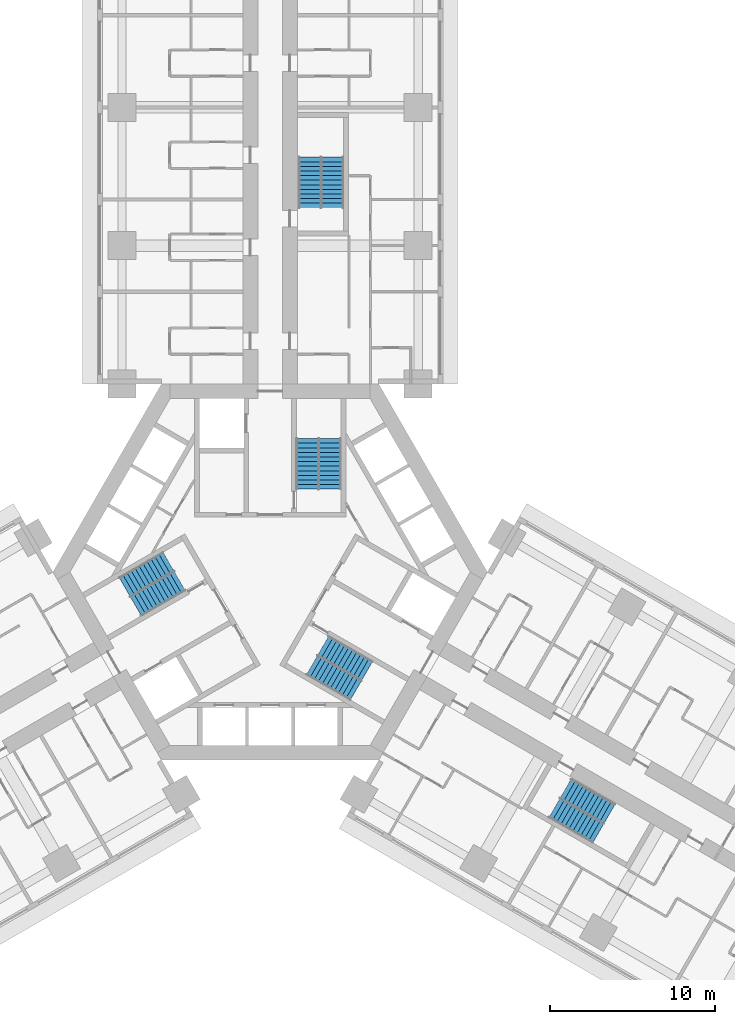
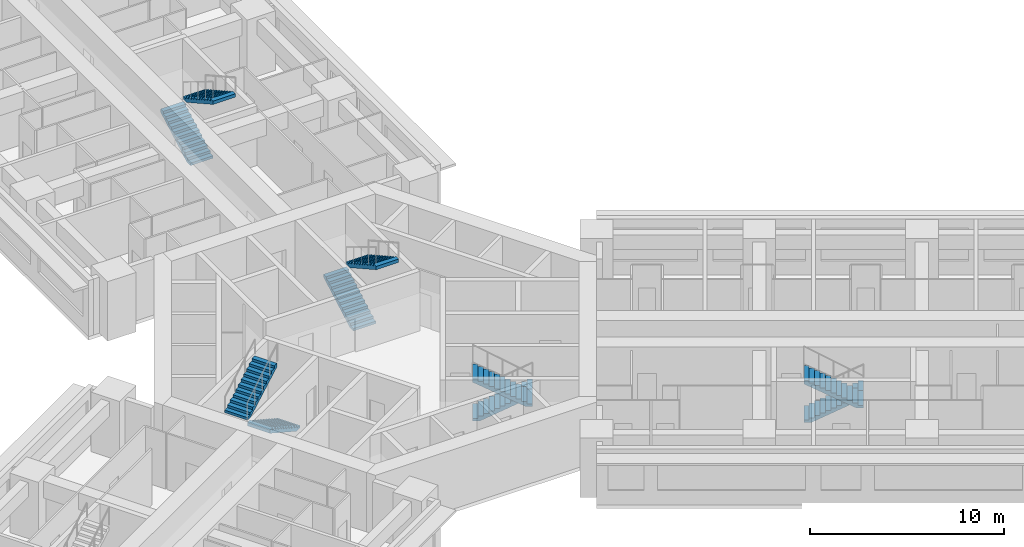
# One storey, part 16 of 17: 10 stair flights, 5 elements without a shape of their own.
"""IFC4 building model written with IfcOpenShell, lengths in metres."""

import ifcopenshell
import ifcopenshell.guid

model = None  # the IFC model being written
_history = None  # IfcOwnerHistory: only IFC2X3 demands one
_inside = {}  # id of a spatial element -> (the spatial element, [elements in it])
_under = {}  # id of a project, library or spatial element -> (it, [spatial elements below it])
_declared = {}  # id of a project -> (the project, [libraries it declares])
_typed = {}  # id of a type object -> (the type object, [elements of that type])
_made_of = {}  # id of a material, layer set ... -> (it, [elements and type objects made of it])


def new_model(schema):
    """Start an empty IFC model of exactly this schema.

    Asked for "IFC4X3", IfcOpenShell would pick the latest addendum, in which some entities
    have other attributes; the version numbers below select the first issue.
    IFC2X3 requires an IfcOwnerHistory on every rooted entity: one is made here for all.
    """
    global model, _history
    if schema == "IFC4X3":
        model = ifcopenshell.file(schema_version=(4, 3, 0, 0))
    else:
        model = ifcopenshell.file(schema=schema)
    _inside.clear()
    _under.clear()
    _declared.clear()
    _typed.clear()
    _made_of.clear()
    _history = None
    if model.schema == "IFC2X3":
        org = make("IfcOrganization", Name="unknown")
        user = make(
            "IfcPersonAndOrganization",
            ThePerson=make("IfcPerson", FamilyName="unknown"),
            TheOrganization=org,
        )
        app = make(
            "IfcApplication",
            ApplicationDeveloper=org,
            Version="unknown",
            ApplicationFullName="unknown",
            ApplicationIdentifier="unknown",
        )
        _history = make(
            "IfcOwnerHistory",
            OwningUser=user,
            OwningApplication=app,
            ChangeAction="ADDED",
            CreationDate=0,
        )
    return model


def make(cls, **values):
    """One entity of the class cls with the attributes given. An attribute that is None is left unset."""
    return model.create_entity(
        cls, **{name: value for name, value in values.items() if value is not None}
    )


def rooted(cls, **values):
    """An entity with a GlobalId (a new one), such as an element, a storey or a relation."""
    return make(cls, GlobalId=ifcopenshell.guid.new(), OwnerHistory=_history, **values)


def si_unit(unit_type, name, prefix=None):
    """IfcSIUnit, for example si_unit("LENGTHUNIT", "METRE", prefix="MILLI")."""
    return make("IfcSIUnit", UnitType=unit_type, Prefix=prefix, Name=name)


def assignment(units):
    """IfcUnitAssignment: the units of a project."""
    return None if units is None else make("IfcUnitAssignment", Units=units)


def point(xyz):
    """IfcCartesianPoint."""
    return None if xyz is None else make("IfcCartesianPoint", Coordinates=xyz)


def direction(xyz):
    """IfcDirection."""
    return None if xyz is None else make("IfcDirection", DirectionRatios=xyz)


def frame(location, z_axis=None, x_axis=None):
    """IfcAxis2Placement3D, a coordinate frame: its origin and axes. An axis left out is left unset."""
    return make(
        "IfcAxis2Placement3D",
        Location=point(location),
        Axis=direction(z_axis),
        RefDirection=direction(x_axis),
    )


def origin():
    """The frame at (0, 0, 0) with its axes left unset."""
    return frame((0.0, 0.0, 0.0))


def place(relative_to, where):
    """IfcLocalPlacement: puts the frame where relative to a parent placement (None: the world)."""
    return make(
        "IfcLocalPlacement", PlacementRelTo=relative_to, RelativePlacement=where
    )


def context(
    kind, dimensions, precision=None, world=None, true_north=None, identifier=None
):
    """IfcGeometricRepresentationContext, for example the 3D "Model" context."""
    return make(
        "IfcGeometricRepresentationContext",
        ContextIdentifier=identifier,
        ContextType=kind,
        CoordinateSpaceDimension=dimensions,
        Precision=precision,
        WorldCoordinateSystem=world,
        TrueNorth=true_north,
    )


def subcontext(parent, identifier, kind, view, scale=None):
    """IfcGeometricRepresentationSubContext, for example "Body" below "Model"."""
    return make(
        "IfcGeometricRepresentationSubContext",
        ContextIdentifier=identifier,
        ContextType=kind,
        ParentContext=parent,
        TargetScale=scale,
        TargetView=view,
    )


def project(units=None, contexts=None):
    """IfcProject with its units and contexts."""
    return rooted(
        "IfcProject",
        Name="project",
        RepresentationContexts=contexts,
        UnitsInContext=assignment(units),
    )


def spatial(cls, under=None, at=None, **own):
    """A site, building, storey or space (cls), placed at a placement, below another one or the project."""
    s = rooted(cls, ObjectPlacement=at, **own)
    if under is not None:
        _under.setdefault(under.id(), (under, []))[1].append(s)
    return s


def polyline(points):
    """IfcPolyline through the points."""
    return make("IfcPolyline", Points=[point(p) for p in points])


def outline(outer, holes=None, kind="AREA"):
    """IfcArbitraryClosedProfileDef: a profile drawn as a closed curve; with holes, ...WithVoids."""
    if holes is None:
        return make("IfcArbitraryClosedProfileDef", ProfileType=kind, OuterCurve=outer)
    return make(
        "IfcArbitraryProfileDefWithVoids",
        ProfileType=kind,
        OuterCurve=outer,
        InnerCurves=holes,
    )


def extrude(swept, where, along, depth):
    """IfcExtrudedAreaSolid: the profile swept, set in the frame where, extruded along a direction by depth."""
    return make(
        "IfcExtrudedAreaSolid",
        SweptArea=swept,
        Position=where,
        ExtrudedDirection=direction(along),
        Depth=depth,
    )


def shape(context_of_items, identifier, shape_type, items):
    """IfcShapeRepresentation: the items that make up one representation, for example the "Body"."""
    return make(
        "IfcShapeRepresentation",
        ContextOfItems=context_of_items,
        RepresentationIdentifier=identifier,
        RepresentationType=shape_type,
        Items=items,
    )


def material(Name=None, Category=None):
    """IfcMaterial."""
    return make("IfcMaterial", Name=Name, Category=Category)


def made_of(thing, what):
    """Note that an element or type object is made of a material, layer set ...; save() writes the relation."""
    if what is not None:
        _made_of.setdefault(what.id(), (what, []))[1].append(thing)
    return thing


def type_object(cls, material=None, **own):
    """A type object (cls), such as IfcWallType, which elements share."""
    return made_of(rooted(cls, **own), material)


def element(
    cls,
    number,
    at=None,
    inside=None,
    cuts=None,
    type_object=None,
    material=None,
    context=None,
    identifier="Body",
    shape_type=None,
    held_by="IfcProductDefinitionShape",
    body=None,
    shapes=None,
    **own,
):
    """One element of the class cls, such as IfcWall. Its Tag is "e" and its number.

    at: its placement. inside: the storey or other place that contains it. cuts: it is an
    opening in that element (IfcRelVoidsElement). A single representation is given by context,
    identifier, shape_type and body (its items); several are given by shapes. held_by: the class
    of the entity that holds the representations. save() writes the other relations.
    """
    e = rooted(cls, Tag="e%d" % number, ObjectPlacement=at, **own)
    if body is not None:
        shapes = [shape(context, identifier, shape_type, body)]
    if shapes is not None:
        e.Representation = make(held_by, Representations=shapes)
    if inside is not None:
        _inside.setdefault(inside.id(), (inside, []))[1].append(e)
    if cuts is not None:
        rooted(
            "IfcRelVoidsElement", RelatingBuildingElement=cuts, RelatedOpeningElement=e
        )
    if type_object is not None:
        _typed.setdefault(type_object.id(), (type_object, []))[1].append(e)
    return made_of(e, material)


def aggregate(whole, parts):
    """IfcRelAggregates: a whole, such as a stair, and the parts it consists of."""
    return rooted("IfcRelAggregates", RelatingObject=whole, RelatedObjects=parts)


def save(model, path):
    """Write the relations noted so far, then the file.

    IfcRelAggregates (storeys below a building ...), IfcRelContainedInSpatialStructure (elements
    in a storey), IfcRelDefinesByType, IfcRelAssociatesMaterial and IfcRelDeclares: one each for
    every whole, place, type object, material and project.
    """
    for whole, parts in _under.values():
        aggregate(whole, parts)
    for where, things in _inside.values():
        rooted(
            "IfcRelContainedInSpatialStructure",
            RelatedElements=things,
            RelatingStructure=where,
        )
    for kind, things in _typed.values():
        rooted("IfcRelDefinesByType", RelatedObjects=things, RelatingType=kind)
    for what, things in _made_of.values():
        rooted("IfcRelAssociatesMaterial", RelatedObjects=things, RelatingMaterial=what)
    for by, libraries in _declared.values():
        rooted("IfcRelDeclares", RelatingContext=by, RelatedDefinitions=libraries)
    model.write(path)


model = new_model("IFC4")

# Units and contexts
model_context = context("Model", 3, precision=1e-05, world=origin(), true_north=direction((0.0, 1.0)))
body_context = subcontext(model_context, "Body", "Model", "MODEL_VIEW")
ifc_project = project(units=[si_unit("LENGTHUNIT", "METRE"), si_unit("AREAUNIT", "SQUARE_METRE"), si_unit("VOLUMEUNIT", "CUBIC_METRE"), si_unit("PLANEANGLEUNIT", "RADIAN"), si_unit("MASSUNIT", "GRAM", prefix="KILO")], contexts=[model_context])

# Site, building, storey
site_placement = place(None, origin())
site = spatial("IfcSite", under=ifc_project, at=site_placement, CompositionType="ELEMENT")
building_placement = place(site_placement, origin())
building = spatial("IfcBuilding", under=site, at=building_placement, Name="Impinga Residences", CompositionType="ELEMENT")
storey_placement = place(building_placement, frame((0.0, 0.0, 33.5)))
storey = spatial("IfcBuildingStorey", under=building, at=storey_placement, Name="L07", CompositionType="ELEMENT", Elevation=33.5)

# Stair, stair flights
ifc_material = material(Name="Concrete C40/50", Category="concrete")
stair_type_1 = type_object("IfcStairType", Name="STR core stair 3750 storey, 24 risers", PredefinedType="HALF_TURN_STAIR", material=ifc_material)
stair_1_placement = place(storey_placement, origin())
stair_1 = element("IfcStair", 1, at=stair_1_placement, inside=storey, type_object=stair_type_1, Name="Stair ST1 L07", PredefinedType="HALF_TURN_STAIR")
stair_flight_type = type_object("IfcStairFlightType", Name="SF 12 risers of 156", PredefinedType="STRAIGHT", material=ifc_material)
stair_flight_1_placement = place(storey_placement, frame((2.27490234375, 5.030029296875, 0.0), z_axis=(0.0, 0.0, 1.0), x_axis=(0.0, 1.0, 0.0)))
stair_flight_1 = element("IfcStairFlight", 2, at=stair_flight_1_placement, type_object=stair_flight_type, Name="ST1 flight 1", NumberOfRisers=12, NumberOfTreads=11, PredefinedType="STRAIGHT", RiserHeight=0.15625, TreadLength=0.28, context=body_context, shape_type="SweptSolid", body=[
    extrude(outline(polyline([(0.0, 0.0), (0.0, 0.15625), (0.280029296875, 0.15625), (0.280029296875, 0.3125), (0.56005859375, 0.3125), (0.56005859375, 0.46875), (0.840087890625, 0.46875), (0.840087890625, 0.625), (1.1201171875, 0.625), (1.1201171875, 0.78125), (1.39990234375, 0.78125), (1.39990234375, 0.9375), (1.679931640625, 0.9375), (1.679931640625, 1.09375), (1.9599609375, 1.09375), (1.9599609375, 1.25), (2.239990234375, 1.25), (2.239990234375, 1.40625), (2.52001953125, 1.40625), (2.52001953125, 1.5625), (2.800048828125, 1.5625), (2.800048828125, 1.71875), (3.080078125, 1.71875), (3.080078125, 1.875), (3.080078125, 1.5126953125), (0.369140625, 0.0), (0.0, 0.0)])), frame((0.0, 0.675048828125, 0.0), z_axis=(0.0, -1.0, 0.0), x_axis=(1.0, 0.0, 0.0)), (0.0, 0.0, 1.0), 1.35009765625),
])
stair_flight_2_placement = place(storey_placement, frame((3.625, 8.110107421875, 1.875), z_axis=(0.0, 0.0, 1.0), x_axis=(0.0, -1.0, 0.0)))
stair_flight_2 = element("IfcStairFlight", 3, at=stair_flight_2_placement, type_object=stair_flight_type, Name="ST1 flight 2", NumberOfRisers=12, NumberOfTreads=11, PredefinedType="STRAIGHT", RiserHeight=0.15625, TreadLength=0.28, context=body_context, shape_type="SweptSolid", body=[
    extrude(outline(polyline([(0.0, 0.0), (0.0, 0.15625), (0.280029296875, 0.15625), (0.280029296875, 0.3125), (0.56005859375, 0.3125), (0.56005859375, 0.46875), (0.840087890625, 0.46875), (0.840087890625, 0.625), (1.1201171875, 0.625), (1.1201171875, 0.78125), (1.39990234375, 0.78125), (1.39990234375, 0.9375), (1.679931640625, 0.9375), (1.679931640625, 1.09375), (1.9599609375, 1.09375), (1.9599609375, 1.25), (2.239990234375, 1.25), (2.239990234375, 1.40625), (2.52001953125, 1.40625), (2.52001953125, 1.5625), (2.800048828125, 1.5625), (2.800048828125, 1.71875), (3.080078125, 1.71875), (3.080078125, 1.875), (3.080078125, 1.5126953125), (0.369140625, 0.0), (0.0, 0.0)])), frame((0.0, 0.675048828125, 0.0), z_axis=(0.0, -1.0, 0.0), x_axis=(1.0, 0.0, 0.0)), (0.0, 0.0, 1.0), 1.35009765625),
])
aggregate(stair_1, [stair_flight_1, stair_flight_2])

stair_2_placement = place(storey_placement, origin())
stair_2 = element("IfcStair", 4, at=stair_2_placement, inside=storey, type_object=stair_type_1, Name="Stair ST2 L07", PredefinedType="HALF_TURN_STAIR")
stair_flight_3_placement = place(storey_placement, frame((-5.49365234375, -0.544677734375, 0.0), z_axis=(0.0, 0.0, 1.0), x_axis=(-0.866025403784, -0.5, 0.0)))
stair_flight_3 = element("IfcStairFlight", 5, at=stair_flight_3_placement, type_object=stair_flight_type, Name="ST2 flight 1", NumberOfRisers=12, NumberOfTreads=11, PredefinedType="STRAIGHT", RiserHeight=0.15625, TreadLength=0.28, context=body_context, shape_type="SweptSolid", body=[
    extrude(outline(polyline([(0.0, 0.0), (0.0, 0.15625), (0.280029296875, 0.15625), (0.280029296875, 0.3125), (0.56005859375, 0.3125), (0.56005859375, 0.46875), (0.840087890625, 0.46875), (0.840087890625, 0.625), (1.1201171875, 0.625), (1.1201171875, 0.78125), (1.39990234375, 0.78125), (1.39990234375, 0.9375), (1.679931640625, 0.9375), (1.679931640625, 1.09375), (1.9599609375, 1.09375), (1.9599609375, 1.25), (2.239990234375, 1.25), (2.239990234375, 1.40625), (2.52001953125, 1.40625), (2.52001953125, 1.5625), (2.800048828125, 1.5625), (2.800048828125, 1.71875), (3.080078125, 1.71875), (3.080078125, 1.875), (3.080078125, 1.5126953125), (0.369140625, 0.0), (0.0, 0.0)])), frame((0.0, 0.675048828125, 0.0), z_axis=(0.0, -1.0, 0.0), x_axis=(1.0, 0.0, 0.0)), (0.0, 0.0, 1.0), 1.35009765625),
])
stair_flight_4_placement = place(storey_placement, frame((-8.8359375, -0.915771484375, 1.875), z_axis=(0.0, 0.0, 1.0), x_axis=(0.866025403784, 0.5, 0.0)))
stair_flight_4 = element("IfcStairFlight", 6, at=stair_flight_4_placement, type_object=stair_flight_type, Name="ST2 flight 2", NumberOfRisers=12, NumberOfTreads=11, PredefinedType="STRAIGHT", RiserHeight=0.15625, TreadLength=0.28, context=body_context, shape_type="SweptSolid", body=[
    extrude(outline(polyline([(0.0, 0.0), (0.0, 0.15625), (0.280029296875, 0.15625), (0.280029296875, 0.3125), (0.56005859375, 0.3125), (0.56005859375, 0.46875), (0.840087890625, 0.46875), (0.840087890625, 0.625), (1.1201171875, 0.625), (1.1201171875, 0.78125), (1.39990234375, 0.78125), (1.39990234375, 0.9375), (1.679931640625, 0.9375), (1.679931640625, 1.09375), (1.9599609375, 1.09375), (1.9599609375, 1.25), (2.239990234375, 1.25), (2.239990234375, 1.40625), (2.52001953125, 1.40625), (2.52001953125, 1.5625), (2.800048828125, 1.5625), (2.800048828125, 1.71875), (3.080078125, 1.71875), (3.080078125, 1.875), (3.080078125, 1.5126953125), (0.369140625, 0.0), (0.0, 0.0)])), frame((0.0, 0.675048828125, 0.0), z_axis=(0.0, -1.0, 0.0), x_axis=(1.0, 0.0, 0.0)), (0.0, 0.0, 1.0), 1.35009765625),
])
aggregate(stair_2, [stair_flight_3, stair_flight_4])

stair_3_placement = place(storey_placement, origin())
stair_3 = element("IfcStair", 7, at=stair_3_placement, inside=storey, type_object=stair_type_1, Name="Stair ST3 L07", PredefinedType="HALF_TURN_STAIR")
stair_flight_5_placement = place(storey_placement, frame((3.218505859375, -4.485107421875, 0.0), z_axis=(0.0, 0.0, 1.0), x_axis=(0.866025403784, -0.5, 0.0)))
stair_flight_5 = element("IfcStairFlight", 8, at=stair_flight_5_placement, type_object=stair_flight_type, Name="ST3 flight 1", NumberOfRisers=12, NumberOfTreads=11, PredefinedType="STRAIGHT", RiserHeight=0.15625, TreadLength=0.28, context=body_context, shape_type="SweptSolid", body=[
    extrude(outline(polyline([(0.0, 0.0), (0.0, 0.15625), (0.280029296875, 0.15625), (0.280029296875, 0.3125), (0.56005859375, 0.3125), (0.56005859375, 0.46875), (0.840087890625, 0.46875), (0.840087890625, 0.625), (1.1201171875, 0.625), (1.1201171875, 0.78125), (1.39990234375, 0.78125), (1.39990234375, 0.9375), (1.679931640625, 0.9375), (1.679931640625, 1.09375), (1.9599609375, 1.09375), (1.9599609375, 1.25), (2.239990234375, 1.25), (2.239990234375, 1.40625), (2.52001953125, 1.40625), (2.52001953125, 1.5625), (2.800048828125, 1.5625), (2.800048828125, 1.71875), (3.080078125, 1.71875), (3.080078125, 1.875), (3.080078125, 1.5126953125), (0.369140625, 0.0), (0.0, 0.0)])), frame((0.0, 0.675048828125, 0.0), z_axis=(0.0, -1.0, 0.0), x_axis=(1.0, 0.0, 0.0)), (0.0, 0.0, 1.0), 1.35009765625),
])
stair_flight_6_placement = place(storey_placement, frame((5.2109375, -7.1943359375, 1.875), z_axis=(0.0, 0.0, 1.0), x_axis=(-0.866025403784, 0.5, 0.0)))
stair_flight_6 = element("IfcStairFlight", 9, at=stair_flight_6_placement, type_object=stair_flight_type, Name="ST3 flight 2", NumberOfRisers=12, NumberOfTreads=11, PredefinedType="STRAIGHT", RiserHeight=0.15625, TreadLength=0.28, context=body_context, shape_type="SweptSolid", body=[
    extrude(outline(polyline([(0.0, 0.0), (0.0, 0.15625), (0.280029296875, 0.15625), (0.280029296875, 0.3125), (0.56005859375, 0.3125), (0.56005859375, 0.46875), (0.840087890625, 0.46875), (0.840087890625, 0.625), (1.1201171875, 0.625), (1.1201171875, 0.78125), (1.39990234375, 0.78125), (1.39990234375, 0.9375), (1.679931640625, 0.9375), (1.679931640625, 1.09375), (1.9599609375, 1.09375), (1.9599609375, 1.25), (2.239990234375, 1.25), (2.239990234375, 1.40625), (2.52001953125, 1.40625), (2.52001953125, 1.5625), (2.800048828125, 1.5625), (2.800048828125, 1.71875), (3.080078125, 1.71875), (3.080078125, 1.875), (3.080078125, 1.5126953125), (0.369140625, 0.0), (0.0, 0.0)])), frame((0.0, 0.675048828125, 0.0), z_axis=(0.0, -1.0, 0.0), x_axis=(1.0, 0.0, 0.0)), (0.0, 0.0, 1.0), 1.35009765625),
])
aggregate(stair_3, [stair_flight_5, stair_flight_6])

stair_type_2 = type_object("IfcStairType", Name="STR wing stair 3750 storey, 24 risers", PredefinedType="HALF_TURN_STAIR", material=ifc_material)
stair_4_placement = place(storey_placement, origin())
stair_4 = element("IfcStair", 10, at=stair_4_placement, inside=storey, type_object=stair_type_2, Name="Stair WS1 L07", PredefinedType="HALF_TURN_STAIR")
stair_flight_7_placement = place(storey_placement, frame((2.425048828125, 22.131591796875, 0.0), z_axis=(0.0, 0.0, 1.0), x_axis=(0.0, 1.0, 0.0)))
stair_flight_7 = element("IfcStairFlight", 11, at=stair_flight_7_placement, type_object=stair_flight_type, Name="WS1 flight 1", NumberOfRisers=12, NumberOfTreads=11, PredefinedType="STRAIGHT", RiserHeight=0.15625, TreadLength=0.28, context=body_context, shape_type="SweptSolid", body=[
    extrude(outline(polyline([(0.0, 0.0), (0.0, 0.15625), (0.280029296875, 0.15625), (0.280029296875, 0.3125), (0.56005859375, 0.3125), (0.56005859375, 0.46875), (0.840087890625, 0.46875), (0.840087890625, 0.625), (1.1201171875, 0.625), (1.1201171875, 0.78125), (1.39990234375, 0.78125), (1.39990234375, 0.9375), (1.679931640625, 0.9375), (1.679931640625, 1.09375), (1.9599609375, 1.09375), (1.9599609375, 1.25), (2.239990234375, 1.25), (2.239990234375, 1.40625), (2.52001953125, 1.40625), (2.52001953125, 1.5625), (2.800048828125, 1.5625), (2.800048828125, 1.71875), (3.080078125, 1.71875), (3.080078125, 1.875), (3.080078125, 1.5126953125), (0.369140625, 0.0), (0.0, 0.0)])), frame((0.0, 0.675048828125, 0.0), z_axis=(0.0, -1.0, 0.0), x_axis=(1.0, 0.0, 0.0)), (0.0, 0.0, 1.0), 1.35009765625),
])
stair_flight_8_placement = place(storey_placement, frame((3.77490234375, 25.21142578125, 1.875), z_axis=(0.0, 0.0, 1.0), x_axis=(0.0, -1.0, 0.0)))
stair_flight_8 = element("IfcStairFlight", 12, at=stair_flight_8_placement, type_object=stair_flight_type, Name="WS1 flight 2", NumberOfRisers=12, NumberOfTreads=11, PredefinedType="STRAIGHT", RiserHeight=0.15625, TreadLength=0.28, context=body_context, shape_type="SweptSolid", body=[
    extrude(outline(polyline([(0.0, 0.0), (0.0, 0.15625), (0.280029296875, 0.15625), (0.280029296875, 0.3125), (0.56005859375, 0.3125), (0.56005859375, 0.46875), (0.840087890625, 0.46875), (0.840087890625, 0.625), (1.1201171875, 0.625), (1.1201171875, 0.78125), (1.39990234375, 0.78125), (1.39990234375, 0.9375), (1.679931640625, 0.9375), (1.679931640625, 1.09375), (1.9599609375, 1.09375), (1.9599609375, 1.25), (2.239990234375, 1.25), (2.239990234375, 1.40625), (2.52001953125, 1.40625), (2.52001953125, 1.5625), (2.800048828125, 1.5625), (2.800048828125, 1.71875), (3.080078125, 1.71875), (3.080078125, 1.875), (3.080078125, 1.5126953125), (0.369140625, 0.0), (0.0, 0.0)])), frame((0.0, 0.675048828125, 0.0), z_axis=(0.0, -1.0, 0.0), x_axis=(1.0, 0.0, 0.0)), (0.0, 0.0, 1.0), 1.35009765625),
])
aggregate(stair_4, [stair_flight_7, stair_flight_8])

stair_5_placement = place(storey_placement, origin())
stair_5 = element("IfcStair", 13, at=stair_5_placement, inside=storey, type_object=stair_type_2, Name="Stair WS3 L07", PredefinedType="HALF_TURN_STAIR")
stair_flight_9_placement = place(storey_placement, frame((17.953857421875, -13.165771484375, 0.0), z_axis=(0.0, 0.0, 1.0), x_axis=(0.866025403784, -0.5, 0.0)))
stair_flight_9 = element("IfcStairFlight", 14, at=stair_flight_9_placement, type_object=stair_flight_type, Name="WS3 flight 1", NumberOfRisers=12, NumberOfTreads=11, PredefinedType="STRAIGHT", RiserHeight=0.15625, TreadLength=0.28, context=body_context, shape_type="SweptSolid", body=[
    extrude(outline(polyline([(0.0, 0.0), (0.0, 0.15625), (0.280029296875, 0.15625), (0.280029296875, 0.3125), (0.56005859375, 0.3125), (0.56005859375, 0.46875), (0.840087890625, 0.46875), (0.840087890625, 0.625), (1.1201171875, 0.625), (1.1201171875, 0.78125), (1.39990234375, 0.78125), (1.39990234375, 0.9375), (1.679931640625, 0.9375), (1.679931640625, 1.09375), (1.9599609375, 1.09375), (1.9599609375, 1.25), (2.239990234375, 1.25), (2.239990234375, 1.40625), (2.52001953125, 1.40625), (2.52001953125, 1.5625), (2.800048828125, 1.5625), (2.800048828125, 1.71875), (3.080078125, 1.71875), (3.080078125, 1.875), (3.080078125, 1.5126953125), (0.369140625, 0.0), (0.0, 0.0)])), frame((0.0, 0.675048828125, 0.0), z_axis=(0.0, -1.0, 0.0), x_axis=(1.0, 0.0, 0.0)), (0.0, 0.0, 1.0), 1.35009765625),
])
stair_flight_10_placement = place(storey_placement, frame((19.9462890625, -15.875, 1.875), z_axis=(0.0, 0.0, 1.0), x_axis=(-0.866025403784, 0.5, 0.0)))
stair_flight_10 = element("IfcStairFlight", 15, at=stair_flight_10_placement, type_object=stair_flight_type, Name="WS3 flight 2", NumberOfRisers=12, NumberOfTreads=11, PredefinedType="STRAIGHT", RiserHeight=0.15625, TreadLength=0.28, context=body_context, shape_type="SweptSolid", body=[
    extrude(outline(polyline([(0.0, 0.0), (0.0, 0.15625), (0.280029296875, 0.15625), (0.280029296875, 0.3125), (0.56005859375, 0.3125), (0.56005859375, 0.46875), (0.840087890625, 0.46875), (0.840087890625, 0.625), (1.1201171875, 0.625), (1.1201171875, 0.78125), (1.39990234375, 0.78125), (1.39990234375, 0.9375), (1.679931640625, 0.9375), (1.679931640625, 1.09375), (1.9599609375, 1.09375), (1.9599609375, 1.25), (2.239990234375, 1.25), (2.239990234375, 1.40625), (2.52001953125, 1.40625), (2.52001953125, 1.5625), (2.800048828125, 1.5625), (2.800048828125, 1.71875), (3.080078125, 1.71875), (3.080078125, 1.875), (3.080078125, 1.5126953125), (0.369140625, 0.0), (0.0, 0.0)])), frame((0.0, 0.675048828125, 0.0), z_axis=(0.0, -1.0, 0.0), x_axis=(1.0, 0.0, 0.0)), (0.0, 0.0, 1.0), 1.35009765625),
])
aggregate(stair_5, [stair_flight_9, stair_flight_10])

save(model, "model.ifc")
